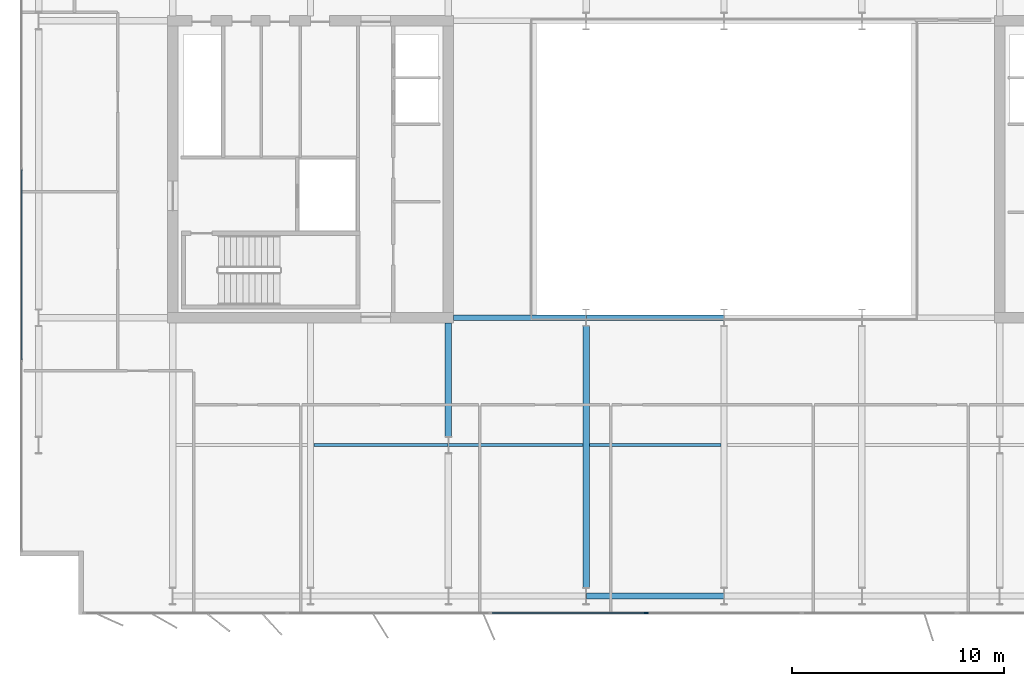
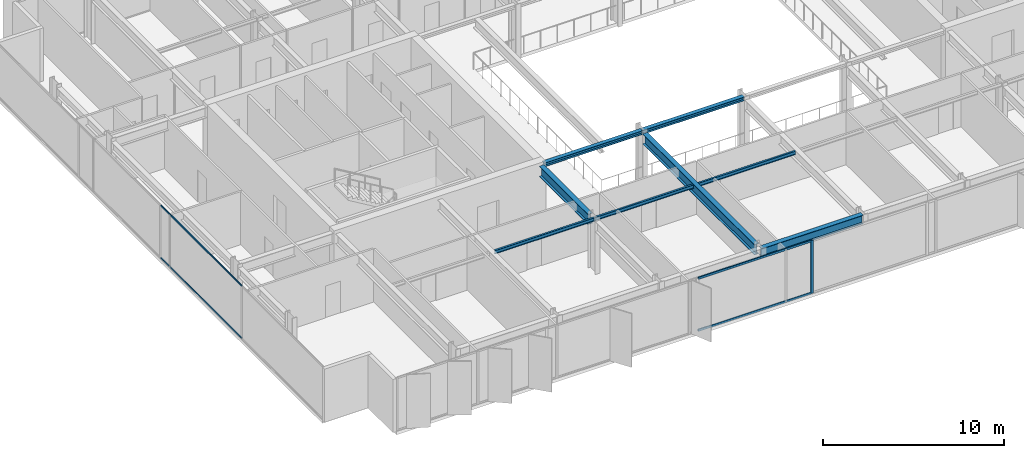
# One storey, part 4 of 24: 8 beams, 5 members, 2 elements without a shape of their own.
"""IFC4 building model written with IfcOpenShell, lengths in metres."""

from ifc_helpers import new_model, si_unit, direction, frame, origin, origin_2d, place, context, subcontext, project, spatial, rectangle, i_section, extrude, material, layer, layer_set, material_profile, profile_set, type_object, element, aggregate, save


model = new_model("IFC4")

# Units and contexts
model_context = context("Model", 3, precision=1e-05, world=origin(), true_north=direction((0.0, 1.0)))
body_context = subcontext(model_context, "Body", "Model", "MODEL_VIEW")
ifc_project = project(units=[si_unit("LENGTHUNIT", "METRE"), si_unit("AREAUNIT", "SQUARE_METRE"), si_unit("VOLUMEUNIT", "CUBIC_METRE"), si_unit("PLANEANGLEUNIT", "RADIAN"), si_unit("MASSUNIT", "GRAM", prefix="KILO")], contexts=[model_context])

# Site, building, storey
site_placement = place(None, origin())
site = spatial("IfcSite", under=ifc_project, at=site_placement, CompositionType="ELEMENT")
building_placement = place(site_placement, origin())
building = spatial("IfcBuilding", under=site, at=building_placement, Name="Putna Gate Headquarters", CompositionType="ELEMENT")
storey_placement = place(building_placement, frame((0.0, 0.0, 248.0)))
storey = spatial("IfcBuildingStorey", under=building, at=storey_placement, Name="L62", CompositionType="ELEMENT", Elevation=248.0)

# Beams
ifc_material_1 = material(Name="Steel S355J2", Category="steel")
ifc_material_profile_1 = material_profile(ifc_material_1, i_section(OverallWidth=0.260009765625, OverallDepth=0.260009765625, WebThickness=0.010009765625, FlangeThickness=0.017578125, at=origin_2d()), Name="Steel S355J2")
ifc_profile_set_1 = profile_set([ifc_material_profile_1], Name="Steel S355J2")
beam_type_1 = type_object("IfcBeamType", Name="BM-ATRIUM-HEB260", PredefinedType="BEAM", material=ifc_profile_set_1)
beam_1_placement = place(storey_placement, frame((26.235107421875, 19.0, 3.449951171875), z_axis=(1.0, 0.0, 0.0), x_axis=(0.0, 1.0, 0.0)))
element("IfcBeam", 1, at=beam_1_placement, inside=storey, type_object=beam_type_1, Name="L62 Atrium Edge Beam AS1", PredefinedType="BEAM", context=body_context, shape_type="SweptSolid", body=[
    extrude(i_section(OverallWidth=0.260009765625, OverallDepth=0.260009765625, WebThickness=0.010009765625, FlangeThickness=0.017578125, at=origin_2d()), origin(), (0.0, 0.0, 1.0), 6.2587890625),
])
beam_2_placement = place(storey_placement, frame((32.506103515625, 19.0, 3.449951171875), z_axis=(1.0, 0.0, 0.0), x_axis=(0.0, 1.0, 0.0)))
element("IfcBeam", 2, at=beam_2_placement, inside=storey, type_object=beam_type_1, Name="L62 Atrium Edge Beam AS2", PredefinedType="BEAM", context=body_context, shape_type="SweptSolid", body=[
    extrude(i_section(OverallWidth=0.260009765625, OverallDepth=0.260009765625, WebThickness=0.010009765625, FlangeThickness=0.017578125, at=origin_2d()), origin(), (0.0, 0.0, 1.0), 6.48779296875),
])
ifc_material_profile_2 = material_profile(ifc_material_1, i_section(OverallWidth=0.300048828125, OverallDepth=0.699951171875, WebThickness=0.01708984375, FlangeThickness=0.031982421875, at=origin_2d()), Name="Steel S355J2")
ifc_profile_set_2 = profile_set([ifc_material_profile_2], Name="Steel S355J2")
beam_type_2 = type_object("IfcBeamType", Name="BM-GIRD-B-HEB700", PredefinedType="USERDEFINED", material=ifc_profile_set_2)
beam_3_placement = place(storey_placement, frame((26.0, 13.39501953125, 3.22998046875), z_axis=(0.0, 1.0, 0.0), x_axis=(-1.0, 0.0, 0.0)))
element("IfcBeam", 3, at=beam_3_placement, inside=storey, type_object=beam_type_2, Name="L62 South Primary Girder X26-2", ObjectType="GIRDER", PredefinedType="USERDEFINED", context=body_context, shape_type="SweptSolid", body=[
    extrude(i_section(OverallWidth=0.300048828125, OverallDepth=0.699951171875, WebThickness=0.01708984375, FlangeThickness=0.031982421875, at=origin_2d()), origin(), (0.0, 0.0, 1.0), 5.369873046875),
])
beam_4_placement = place(storey_placement, frame((32.5, 6.27490234375, 3.22998046875), z_axis=(0.0, 1.0, 0.0), x_axis=(-1.0, 0.0, 0.0)))
element("IfcBeam", 4, at=beam_4_placement, inside=storey, type_object=beam_type_2, Name="L62 South Primary Girder X32", ObjectType="GIRDER", PredefinedType="USERDEFINED", context=body_context, shape_type="SweptSolid", body=[
    extrude(i_section(OverallWidth=0.300048828125, OverallDepth=0.699951171875, WebThickness=0.01708984375, FlangeThickness=0.031982421875, at=origin_2d()), origin(), (0.0, 0.0, 1.0), 12.330078125),
])
ifc_material_profile_3 = material_profile(ifc_material_1, i_section(OverallWidth=0.1201171875, OverallDepth=0.239990234375, WebThickness=0.006103515625, FlangeThickness=0.009765625, at=origin_2d()), Name="Steel S355J2")
ifc_profile_set_3 = profile_set([ifc_material_profile_3], Name="Steel S355J2")
beam_type_3 = type_object("IfcBeamType", Name="BM-SEC-Z4-IPE240", PredefinedType="JOIST", material=ifc_profile_set_3)
for number, where, z_axis, x_axis, name in (
    (5, (19.654052734375, 13.0, 3.4599609375), (1.0, 0.0, 0.0), (0.0, 1.0, 0.0), "L62 South Secondary Beam 2"),
    (6, (26.006103515625, 13.0, 3.4599609375), (1.0, 0.0, 0.0), (0.0, 1.0, 0.0), "L62 South Secondary Beam 3"),
):
    element("IfcBeam", number, at=place(storey_placement, frame(where, z_axis=z_axis, x_axis=x_axis)), inside=storey, type_object=beam_type_3, Name=name, PredefinedType="JOIST", context=body_context, shape_type="SweptSolid", body=[
        extrude(i_section(OverallWidth=0.1201171875, OverallDepth=0.239990234375, WebThickness=0.006103515625, FlangeThickness=0.009765625, at=origin_2d()), origin(), (0.0, 0.0, 1.0), 6.33984375),
    ])
beam_5_placement = place(storey_placement, frame((32.654052734375, 13.0, 3.4599609375), z_axis=(1.0, 0.0, 0.0), x_axis=(0.0, 1.0, 0.0)))
element("IfcBeam", 7, at=beam_5_placement, inside=storey, type_object=beam_type_3, Name="L62 South Secondary Beam 4", PredefinedType="JOIST", context=body_context, shape_type="SweptSolid", body=[
    extrude(i_section(OverallWidth=0.1201171875, OverallDepth=0.239990234375, WebThickness=0.006103515625, FlangeThickness=0.009765625, at=origin_2d()), origin(), (0.0, 0.0, 1.0), 6.19189453125),
])
ifc_material_profile_4 = material_profile(ifc_material_1, i_section(OverallWidth=0.300048828125, OverallDepth=0.590087890625, WebThickness=0.012939453125, FlangeThickness=0.02490234375, at=origin_2d()), Name="Steel S355J2")
ifc_profile_set_4 = profile_set([ifc_material_profile_4], Name="Steel S355J2")
beam_type_4 = type_object("IfcBeamType", Name="BM-SPAN-Z4-HEA600", PredefinedType="SPANDREL", material=ifc_profile_set_4)
beam_6_placement = place(storey_placement, frame((32.506103515625, 5.8798828125, 3.284912109375), z_axis=(1.0, 0.0, 0.0), x_axis=(0.0, 1.0, 0.0)))
element("IfcBeam", 8, at=beam_6_placement, inside=storey, type_object=beam_type_4, Name="L62 S Perimeter Spandrel 4", PredefinedType="SPANDREL", context=body_context, shape_type="SweptSolid", body=[
    extrude(i_section(OverallWidth=0.300048828125, OverallDepth=0.590087890625, WebThickness=0.012939453125, FlangeThickness=0.02490234375, at=origin_2d()), origin(), (0.0, 0.0, 1.0), 6.48779296875),
])

# Curtain wall, member
ifc_material_2 = material(Name="Anodised bronze aluminium curtain wall", Category="aluminium")
ifc_layer_1 = layer(ifc_material_2, 0.179931640625)
ifc_layer_set_1 = layer_set([ifc_layer_1], Name="Anodised bronze aluminium curtain wall")
curtain_wall_type_1 = type_object("IfcCurtainWallType", Name="CW-SYS-ATR", PredefinedType="USERDEFINED", material=ifc_layer_set_1)
curtain_wall_1_placement = place(storey_placement, origin())
curtain_wall_1 = element("IfcCurtainWall", 9, at=curtain_wall_1_placement, inside=storey, type_object=curtain_wall_type_1, Name="L62 South Atrium Clear Glazing", ObjectType="ATRIUM GLAZING", PredefinedType="USERDEFINED")
ifc_material_3 = material(Name="Anodised bronze aluminium EN AW-6060", Category="aluminium")
ifc_material_profile_5 = material_profile(ifc_material_3, rectangle(XDim=0.070068359375, YDim=0.179931640625, at=origin_2d()), Name="Anodised bronze aluminium EN AW-6060")
ifc_profile_set_5 = profile_set([ifc_material_profile_5], Name="Anodised bronze aluminium EN AW-6060")
member_type_1 = type_object("IfcMemberType", Name="MULL-CWM-AT", PredefinedType="MULLION", material=ifc_profile_set_5)
member_1_placement = place(storey_placement, frame((35.333251953125, 5.080078125, 0.0), z_axis=(0.0, 0.0, 1.0), x_axis=(0.0, 1.0, 0.0)))
member_1 = element("IfcMember", 10, at=member_1_placement, type_object=member_type_1, Name="CWS-AT mullion 2", PredefinedType="MULLION", context=body_context, shape_type="SweptSolid", body=[
    extrude(rectangle(XDim=0.070068359375, YDim=0.179931640625, at=origin_2d()), origin(), (0.0, 0.0, 1.0), 3.580078125),
])

# Curtain wall, members
ifc_layer_2 = layer(ifc_material_2, 0.139892578125)
ifc_layer_set_2 = layer_set([ifc_layer_2], Name="Anodised bronze aluminium curtain wall")
curtain_wall_type_2 = type_object("IfcCurtainWallType", Name="CW-SYS-Z4", PredefinedType="USERDEFINED", material=ifc_layer_set_2)
curtain_wall_2_placement = place(storey_placement, origin())
curtain_wall_2 = element("IfcCurtainWall", 11, at=curtain_wall_2_placement, inside=storey, type_object=curtain_wall_type_2, Name="L62 West Curtain Wall", ObjectType="STICK CURTAIN WALL", PredefinedType="USERDEFINED")
ifc_material_profile_6 = material_profile(ifc_material_3, rectangle(XDim=0.06005859375, YDim=0.10009765625, at=origin_2d()), Name="Anodised bronze aluminium EN AW-6060")
ifc_profile_set_6 = profile_set([ifc_material_profile_6], Name="Anodised bronze aluminium EN AW-6060")
member_type_2 = type_object("IfcMemberType", Name="TRAN-CWT-4", PredefinedType="USERDEFINED", material=ifc_profile_set_6)
member_2_placement = place(storey_placement, frame((5.8798828125, 17.030029296875, 0.030029296875), z_axis=(0.0, 1.0, 0.0), x_axis=(-1.0, 0.0, 0.0)))
member_2 = element("IfcMember", 12, at=member_2_placement, type_object=member_type_2, Name="CWS-4 transom 2.1", ObjectType="TRANSOM", PredefinedType="USERDEFINED", context=body_context, shape_type="SweptSolid", body=[
    extrude(rectangle(XDim=0.06005859375, YDim=0.10009765625, at=origin_2d()), origin(), (0.0, 0.0, 1.0), 8.93994140625),
])
member_3_placement = place(storey_placement, frame((5.8798828125, 17.030029296875, 3.550048828125), z_axis=(0.0, 1.0, 0.0), x_axis=(-1.0, 0.0, 0.0)))
member_3 = element("IfcMember", 13, at=member_3_placement, type_object=member_type_2, Name="CWS-4 transom 2.2", ObjectType="TRANSOM", PredefinedType="USERDEFINED", context=body_context, shape_type="SweptSolid", body=[
    extrude(rectangle(XDim=0.06005859375, YDim=0.10009765625, at=origin_2d()), origin(), (0.0, 0.0, 1.0), 8.93994140625),
])
aggregate(curtain_wall_2, [member_2, member_3])

# Member
ifc_material_profile_7 = material_profile(ifc_material_3, rectangle(XDim=0.070068359375, YDim=0.139892578125, at=origin_2d()), Name="Anodised bronze aluminium EN AW-6060")
ifc_profile_set_7 = profile_set([ifc_material_profile_7], Name="Anodised bronze aluminium EN AW-6060")
member_type_3 = type_object("IfcMemberType", Name="TRAN-CWT-AT", PredefinedType="USERDEFINED", material=ifc_profile_set_7)
member_4_placement = place(storey_placement, frame((28.070068359375, 5.080078125, 0.034912109375), z_axis=(1.0, 0.0, 0.0), x_axis=(0.0, 1.0, 0.0)))
member_4 = element("IfcMember", 14, at=member_4_placement, type_object=member_type_3, Name="CWS-AT transom 1.1", ObjectType="TRANSOM", PredefinedType="USERDEFINED", context=body_context, shape_type="SweptSolid", body=[
    extrude(rectangle(XDim=0.070068359375, YDim=0.139892578125, at=origin_2d()), origin(), (0.0, 0.0, 1.0), 7.228271484375),
])

member_5_placement = place(storey_placement, frame((28.070068359375, 5.080078125, 3.544921875), z_axis=(1.0, 0.0, 0.0), x_axis=(0.0, 1.0, 0.0)))
member_5 = element("IfcMember", 15, at=member_5_placement, type_object=member_type_3, Name="CWS-AT transom 1.2", ObjectType="TRANSOM", PredefinedType="USERDEFINED", context=body_context, shape_type="SweptSolid", body=[
    extrude(rectangle(XDim=0.070068359375, YDim=0.139892578125, at=origin_2d()), origin(), (0.0, 0.0, 1.0), 7.228271484375),
])

aggregate(curtain_wall_1, [member_1, member_4, member_5])

save(model, "model.ifc")
